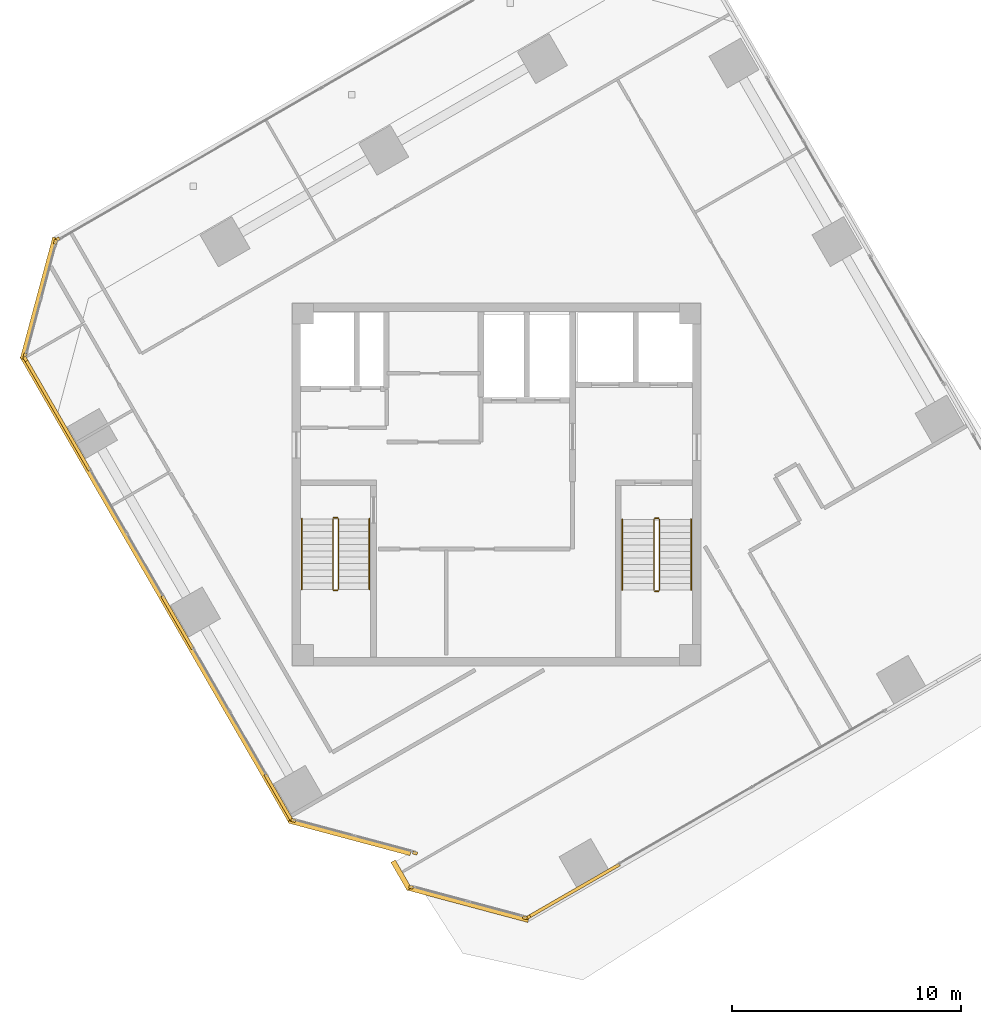
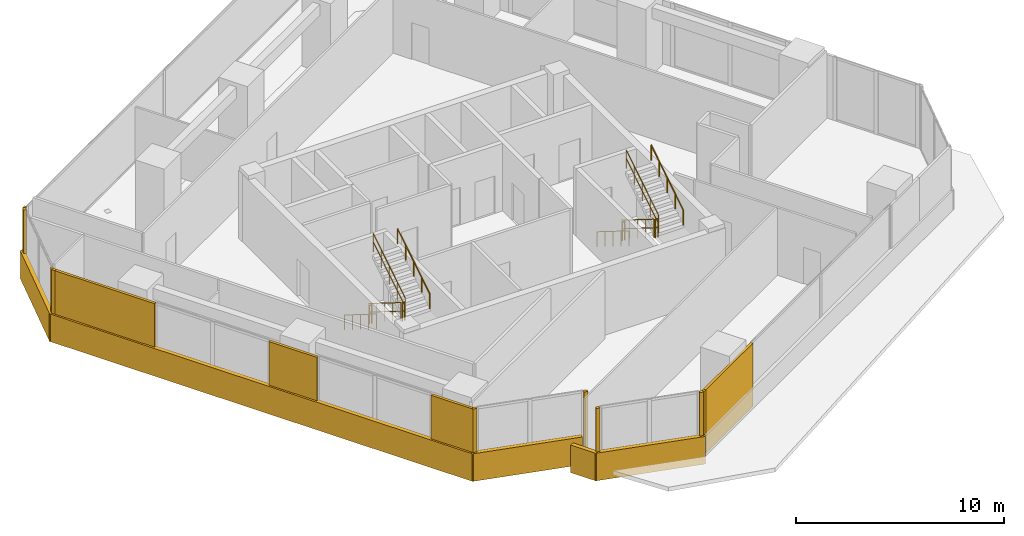
# One storey, part 14 of 16: 18 coverings, 12 railings.
"""IFC4 building model written with IfcOpenShell, lengths in metres."""

import ifcopenshell
import ifcopenshell.guid

model = None  # the IFC model being written
_history = None  # IfcOwnerHistory: only IFC2X3 demands one
_inside = {}  # id of a spatial element -> (the spatial element, [elements in it])
_under = {}  # id of a project, library or spatial element -> (it, [spatial elements below it])
_declared = {}  # id of a project -> (the project, [libraries it declares])
_typed = {}  # id of a type object -> (the type object, [elements of that type])
_made_of = {}  # id of a material, layer set ... -> (it, [elements and type objects made of it])


def new_model(schema):
    """Start an empty IFC model of exactly this schema.

    Asked for "IFC4X3", IfcOpenShell would pick the latest addendum, in which some entities
    have other attributes; the version numbers below select the first issue.
    IFC2X3 requires an IfcOwnerHistory on every rooted entity: one is made here for all.
    """
    global model, _history
    if schema == "IFC4X3":
        model = ifcopenshell.file(schema_version=(4, 3, 0, 0))
    else:
        model = ifcopenshell.file(schema=schema)
    _inside.clear()
    _under.clear()
    _declared.clear()
    _typed.clear()
    _made_of.clear()
    _history = None
    if model.schema == "IFC2X3":
        org = make("IfcOrganization", Name="unknown")
        user = make(
            "IfcPersonAndOrganization",
            ThePerson=make("IfcPerson", FamilyName="unknown"),
            TheOrganization=org,
        )
        app = make(
            "IfcApplication",
            ApplicationDeveloper=org,
            Version="unknown",
            ApplicationFullName="unknown",
            ApplicationIdentifier="unknown",
        )
        _history = make(
            "IfcOwnerHistory",
            OwningUser=user,
            OwningApplication=app,
            ChangeAction="ADDED",
            CreationDate=0,
        )
    return model


def make(cls, **values):
    """One entity of the class cls with the attributes given. An attribute that is None is left unset."""
    return model.create_entity(
        cls, **{name: value for name, value in values.items() if value is not None}
    )


def rooted(cls, **values):
    """An entity with a GlobalId (a new one), such as an element, a storey or a relation."""
    return make(cls, GlobalId=ifcopenshell.guid.new(), OwnerHistory=_history, **values)


def si_unit(unit_type, name, prefix=None):
    """IfcSIUnit, for example si_unit("LENGTHUNIT", "METRE", prefix="MILLI")."""
    return make("IfcSIUnit", UnitType=unit_type, Prefix=prefix, Name=name)


def assignment(units):
    """IfcUnitAssignment: the units of a project."""
    return None if units is None else make("IfcUnitAssignment", Units=units)


def point(xyz):
    """IfcCartesianPoint."""
    return None if xyz is None else make("IfcCartesianPoint", Coordinates=xyz)


def direction(xyz):
    """IfcDirection."""
    return None if xyz is None else make("IfcDirection", DirectionRatios=xyz)


def frame(location, z_axis=None, x_axis=None):
    """IfcAxis2Placement3D, a coordinate frame: its origin and axes. An axis left out is left unset."""
    return make(
        "IfcAxis2Placement3D",
        Location=point(location),
        Axis=direction(z_axis),
        RefDirection=direction(x_axis),
    )


def frame_2d(location, x_axis=None):
    """IfcAxis2Placement2D, a coordinate frame in the plane: its origin and x axis."""
    return make(
        "IfcAxis2Placement2D", Location=point(location), RefDirection=direction(x_axis)
    )


def origin():
    """The frame at (0, 0, 0) with its axes left unset."""
    return frame((0.0, 0.0, 0.0))


def origin_2d():
    """The frame at (0, 0) in the plane with its x axis left unset."""
    return frame_2d((0.0, 0.0))


def place(relative_to, where):
    """IfcLocalPlacement: puts the frame where relative to a parent placement (None: the world)."""
    return make(
        "IfcLocalPlacement", PlacementRelTo=relative_to, RelativePlacement=where
    )


def context(
    kind, dimensions, precision=None, world=None, true_north=None, identifier=None
):
    """IfcGeometricRepresentationContext, for example the 3D "Model" context."""
    return make(
        "IfcGeometricRepresentationContext",
        ContextIdentifier=identifier,
        ContextType=kind,
        CoordinateSpaceDimension=dimensions,
        Precision=precision,
        WorldCoordinateSystem=world,
        TrueNorth=true_north,
    )


def subcontext(parent, identifier, kind, view, scale=None):
    """IfcGeometricRepresentationSubContext, for example "Body" below "Model"."""
    return make(
        "IfcGeometricRepresentationSubContext",
        ContextIdentifier=identifier,
        ContextType=kind,
        ParentContext=parent,
        TargetScale=scale,
        TargetView=view,
    )


def project(units=None, contexts=None):
    """IfcProject with its units and contexts."""
    return rooted(
        "IfcProject",
        Name="project",
        RepresentationContexts=contexts,
        UnitsInContext=assignment(units),
    )


def spatial(cls, under=None, at=None, **own):
    """A site, building, storey or space (cls), placed at a placement, below another one or the project."""
    s = rooted(cls, ObjectPlacement=at, **own)
    if under is not None:
        _under.setdefault(under.id(), (under, []))[1].append(s)
    return s


def profile(cls, at=None, kind="AREA", **sizes):
    """A parametric profile (cls). Its sizes go by their IFC names, for example OverallWidth=200.0."""
    return make(cls, ProfileType=kind, Position=at, **sizes)


def rectangle(**sizes):
    """IfcRectangleProfileDef."""
    return profile("IfcRectangleProfileDef", **sizes)


def circle(**sizes):
    """IfcCircleProfileDef."""
    return profile("IfcCircleProfileDef", **sizes)


def extrude(swept, where, along, depth):
    """IfcExtrudedAreaSolid: the profile swept, set in the frame where, extruded along a direction by depth."""
    return make(
        "IfcExtrudedAreaSolid",
        SweptArea=swept,
        Position=where,
        ExtrudedDirection=direction(along),
        Depth=depth,
    )


def shape(context_of_items, identifier, shape_type, items):
    """IfcShapeRepresentation: the items that make up one representation, for example the "Body"."""
    return make(
        "IfcShapeRepresentation",
        ContextOfItems=context_of_items,
        RepresentationIdentifier=identifier,
        RepresentationType=shape_type,
        Items=items,
    )


def source(mapping_origin, context_of_items, identifier, shape_type, items):
    """IfcRepresentationMap: a shape defined once, which mapped items show again and again."""
    return make(
        "IfcRepresentationMap",
        MappingOrigin=mapping_origin,
        MappedRepresentation=shape(context_of_items, identifier, shape_type, items),
    )


def transform(
    local_origin,
    x_axis=None,
    y_axis=None,
    z_axis=None,
    scale=None,
    scale2=None,
    scale3=None,
    uniform=True,
):
    """IfcCartesianTransformationOperator3D, or its non-uniform kind. x_axis, y_axis, z_axis: its Axis1, 2, 3."""
    if uniform:
        return make(
            "IfcCartesianTransformationOperator3D",
            Axis1=direction(x_axis),
            Axis2=direction(y_axis),
            LocalOrigin=point(local_origin),
            Scale=scale,
            Axis3=direction(z_axis),
        )
    return make(
        "IfcCartesianTransformationOperator3DnonUniform",
        Axis1=direction(x_axis),
        Axis2=direction(y_axis),
        LocalOrigin=point(local_origin),
        Scale=scale,
        Axis3=direction(z_axis),
        Scale2=scale2,
        Scale3=scale3,
    )


def mapped(mapping_source, mapping_target):
    """IfcMappedItem: shows the shape of a source again, moved by a transform."""
    return make(
        "IfcMappedItem", MappingSource=mapping_source, MappingTarget=mapping_target
    )


def material(Name=None, Category=None):
    """IfcMaterial."""
    return make("IfcMaterial", Name=Name, Category=Category)


def layer(
    of_material, thickness, ventilated=None, Name=None, Category=None, Priority=None
):
    """IfcMaterialLayer: one layer of a wall or slab, of a material (None: an air gap)."""
    return make(
        "IfcMaterialLayer",
        Material=of_material,
        LayerThickness=thickness,
        IsVentilated=ventilated,
        Name=Name,
        Category=Category,
        Priority=Priority,
    )


def layer_set(layers, Name=None):
    """IfcMaterialLayerSet."""
    return make("IfcMaterialLayerSet", MaterialLayers=layers, LayerSetName=Name)


def made_of(thing, what):
    """Note that an element or type object is made of a material, layer set ...; save() writes the relation."""
    if what is not None:
        _made_of.setdefault(what.id(), (what, []))[1].append(thing)
    return thing


def type_object(cls, material=None, **own):
    """A type object (cls), such as IfcWallType, which elements share."""
    return made_of(rooted(cls, **own), material)


def element(
    cls,
    number,
    at=None,
    inside=None,
    cuts=None,
    type_object=None,
    material=None,
    context=None,
    identifier="Body",
    shape_type=None,
    held_by="IfcProductDefinitionShape",
    body=None,
    shapes=None,
    **own,
):
    """One element of the class cls, such as IfcWall. Its Tag is "e" and its number.

    at: its placement. inside: the storey or other place that contains it. cuts: it is an
    opening in that element (IfcRelVoidsElement). A single representation is given by context,
    identifier, shape_type and body (its items); several are given by shapes. held_by: the class
    of the entity that holds the representations. save() writes the other relations.
    """
    e = rooted(cls, Tag="e%d" % number, ObjectPlacement=at, **own)
    if body is not None:
        shapes = [shape(context, identifier, shape_type, body)]
    if shapes is not None:
        e.Representation = make(held_by, Representations=shapes)
    if inside is not None:
        _inside.setdefault(inside.id(), (inside, []))[1].append(e)
    if cuts is not None:
        rooted(
            "IfcRelVoidsElement", RelatingBuildingElement=cuts, RelatedOpeningElement=e
        )
    if type_object is not None:
        _typed.setdefault(type_object.id(), (type_object, []))[1].append(e)
    return made_of(e, material)


def aggregate(whole, parts):
    """IfcRelAggregates: a whole, such as a stair, and the parts it consists of."""
    return rooted("IfcRelAggregates", RelatingObject=whole, RelatedObjects=parts)


def save(model, path):
    """Write the relations noted so far, then the file.

    IfcRelAggregates (storeys below a building ...), IfcRelContainedInSpatialStructure (elements
    in a storey), IfcRelDefinesByType, IfcRelAssociatesMaterial and IfcRelDeclares: one each for
    every whole, place, type object, material and project.
    """
    for whole, parts in _under.values():
        aggregate(whole, parts)
    for where, things in _inside.values():
        rooted(
            "IfcRelContainedInSpatialStructure",
            RelatedElements=things,
            RelatingStructure=where,
        )
    for kind, things in _typed.values():
        rooted("IfcRelDefinesByType", RelatedObjects=things, RelatingType=kind)
    for what, things in _made_of.values():
        rooted("IfcRelAssociatesMaterial", RelatedObjects=things, RelatingMaterial=what)
    for by, libraries in _declared.values():
        rooted("IfcRelDeclares", RelatingContext=by, RelatedDefinitions=libraries)
    model.write(path)


model = new_model("IFC4")

# Units and contexts
model_context = context("Model", 3, precision=1e-05, world=origin(), true_north=direction((0.0, 1.0)))
body_context = subcontext(model_context, "Body", "Model", "MODEL_VIEW")
ifc_project = project(units=[si_unit("LENGTHUNIT", "METRE"), si_unit("AREAUNIT", "SQUARE_METRE"), si_unit("VOLUMEUNIT", "CUBIC_METRE"), si_unit("PLANEANGLEUNIT", "RADIAN"), si_unit("MASSUNIT", "GRAM", prefix="KILO")], contexts=[model_context])

# Site, building, storey
site_placement = place(None, origin())
site = spatial("IfcSite", under=ifc_project, at=site_placement, CompositionType="ELEMENT")
building_placement = place(site_placement, origin())
building = spatial("IfcBuilding", under=site, at=building_placement, Name="Torre Montelarca", CompositionType="ELEMENT")
storey_placement = place(building_placement, frame((0.0, 0.0, 319.800048828125)))
storey = spatial("IfcBuildingStorey", under=building, at=storey_placement, Name="L72", CompositionType="ELEMENT", Elevation=319.800048828125)

# Railings
ifc_material_1 = material(Name="Powder-coated steel ASTM A500 Grade C", Category="steel")
railing_type_1 = type_object("IfcRailingType", Name="RL-GUARD-1100", PredefinedType="BALUSTRADE", material=ifc_material_1)
railing_1_placement = place(storey_placement, frame((10.85009765625, 30.5, 0.175048828125)))
element("IfcRailing", 1, at=railing_1_placement, inside=storey, type_object=railing_type_1, Name="L72 ST1 stair guard 1", PredefinedType="BALUSTRADE", context=body_context, shape_type="SweptSolid", body=[
    extrude(circle(Radius=0.02392578125, at=origin_2d()), frame((0.0, 0.0, 1.076171875), z_axis=(0.0, -0.848028513186, 0.529950602248), x_axis=(1.0, 0.0, 0.0)), (0.0, 0.0, 1.0), 3.632080078125),
    extrude(circle(Radius=0.02099609375, at=origin_2d()), frame((0.0, 0.0, 0.572021484375), z_axis=(0.0, -0.848028513186, 0.529950602248), x_axis=(1.0, 0.0, 0.0)), (0.0, 0.0, 1.0), 3.632080078125),
    extrude(circle(Radius=0.02099609375, at=origin_2d()), origin(), (0.0, 0.0, 1.0), 1.052001953125),
    extrude(circle(Radius=0.02099609375, at=origin_2d()), frame((0.0, -0.77001953125, 0.481201171875)), (0.0, 0.0, 1.0), 1.052001953125),
    extrude(circle(Radius=0.02099609375, at=origin_2d()), frame((0.0, -1.5400390625, 0.96240234375)), (0.0, 0.0, 1.0), 1.052001953125),
    extrude(circle(Radius=0.02099609375, at=origin_2d()), frame((0.0, -2.31005859375, 1.443603515625)), (0.0, 0.0, 1.0), 1.052001953125),
    extrude(circle(Radius=0.02099609375, at=origin_2d()), frame((0.0, -3.080078125, 1.9248046875)), (0.0, 0.0, 1.0), 1.052001953125),
])
railing_2_placement = place(storey_placement, frame((10.89990234375, 27.3701171875, 2.099853515625)))
element("IfcRailing", 2, at=railing_2_placement, inside=storey, type_object=railing_type_1, Name="L72 ST1 stair guard 2", PredefinedType="BALUSTRADE", context=body_context, shape_type="SweptSolid", body=[
    extrude(circle(Radius=0.02392578125, at=origin_2d()), frame((0.0, 0.0, 1.076171875), z_axis=(1.0, 0.0, 0.0), x_axis=(0.0, 1.0, 0.0)), (0.0, 0.0, 1.0), 0.150146484375),
    extrude(circle(Radius=0.02099609375, at=origin_2d()), frame((0.0, 0.0, 0.572021484375), z_axis=(1.0, 0.0, 0.0), x_axis=(0.0, 1.0, 0.0)), (0.0, 0.0, 1.0), 0.150146484375),
    extrude(circle(Radius=0.02099609375, at=origin_2d()), origin(), (0.0, 0.0, 1.0), 1.052001953125),
    extrude(circle(Radius=0.02099609375, at=origin_2d()), frame((0.150146484375, 0.0, 0.0)), (0.0, 0.0, 1.0), 1.052001953125),
])
railing_3_placement = place(storey_placement, frame((11.10009765625, 27.419921875, 2.27490234375)))
element("IfcRailing", 3, at=railing_3_placement, inside=storey, type_object=railing_type_1, Name="L72 ST1 stair guard 3", PredefinedType="BALUSTRADE", context=body_context, shape_type="SweptSolid", body=[
    extrude(circle(Radius=0.02392578125, at=origin_2d()), frame((0.0, 0.0, 1.076171875), z_axis=(0.0, 0.847998304005, 0.529998940003), x_axis=(-1.0, 0.0, 0.0)), (0.0, 0.0, 1.0), 3.632080078125),
    extrude(circle(Radius=0.02099609375, at=origin_2d()), frame((0.0, 0.0, 0.572021484375), z_axis=(0.0, 0.847998304005, 0.529998940003), x_axis=(-1.0, 0.0, 0.0)), (0.0, 0.0, 1.0), 3.632080078125),
    extrude(circle(Radius=0.02099609375, at=origin_2d()), origin(), (0.0, 0.0, 1.0), 1.052001953125),
    extrude(circle(Radius=0.02099609375, at=origin_2d()), frame((0.0, 0.77001953125, 0.481201171875)), (0.0, 0.0, 1.0), 1.052001953125),
    extrude(circle(Radius=0.02099609375, at=origin_2d()), frame((0.0, 1.5400390625, 0.96240234375)), (0.0, 0.0, 1.0), 1.052001953125),
    extrude(circle(Radius=0.02099609375, at=origin_2d()), frame((0.0, 2.31005859375, 1.44384765625)), (0.0, 0.0, 1.0), 1.052001953125),
    extrude(circle(Radius=0.02099609375, at=origin_2d()), frame((0.0, 3.080078125, 1.925048828125)), (0.0, 0.0, 1.0), 1.052001953125),
])
railing_4_placement = place(storey_placement, frame((10.89990234375, 30.550048828125, 0.0)))
element("IfcRailing", 4, at=railing_4_placement, inside=storey, type_object=railing_type_1, Name="L72 ST1 stair guard 4", PredefinedType="BALUSTRADE", context=body_context, shape_type="SweptSolid", body=[
    extrude(circle(Radius=0.02392578125, at=origin_2d()), frame((0.0, 0.0, 1.076171875), z_axis=(1.0, 0.0, 0.0), x_axis=(0.0, 1.0, 0.0)), (0.0, 0.0, 1.0), 0.150146484375),
    extrude(circle(Radius=0.02099609375, at=origin_2d()), frame((0.0, 0.0, 0.572021484375), z_axis=(1.0, 0.0, 0.0), x_axis=(0.0, 1.0, 0.0)), (0.0, 0.0, 1.0), 0.150146484375),
    extrude(circle(Radius=0.02099609375, at=origin_2d()), origin(), (0.0, 0.0, 1.0), 1.052001953125),
    extrude(circle(Radius=0.02099609375, at=origin_2d()), frame((0.150146484375, 0.0, 0.0)), (0.0, 0.0, 1.0), 1.052001953125),
])
railing_5_placement = place(storey_placement, frame((24.8701171875, 30.469970703125, 0.175048828125)))
element("IfcRailing", 5, at=railing_5_placement, inside=storey, type_object=railing_type_1, Name="L72 ST2 stair guard 1", PredefinedType="BALUSTRADE", context=body_context, shape_type="SweptSolid", body=[
    extrude(circle(Radius=0.02392578125, at=origin_2d()), frame((0.0, 0.0, 1.076171875), z_axis=(0.0, -0.848028513186, 0.529950602248), x_axis=(1.0, 0.0, 0.0)), (0.0, 0.0, 1.0), 3.632080078125),
    extrude(circle(Radius=0.02099609375, at=origin_2d()), frame((0.0, 0.0, 0.572021484375), z_axis=(0.0, -0.848028513186, 0.529950602248), x_axis=(1.0, 0.0, 0.0)), (0.0, 0.0, 1.0), 3.632080078125),
    extrude(circle(Radius=0.02099609375, at=origin_2d()), origin(), (0.0, 0.0, 1.0), 1.052001953125),
    extrude(circle(Radius=0.02099609375, at=origin_2d()), frame((0.0, -0.77001953125, 0.481201171875)), (0.0, 0.0, 1.0), 1.052001953125),
    extrude(circle(Radius=0.02099609375, at=origin_2d()), frame((0.0, -1.5400390625, 0.96240234375)), (0.0, 0.0, 1.0), 1.052001953125),
    extrude(circle(Radius=0.02099609375, at=origin_2d()), frame((0.0, -2.31005859375, 1.443603515625)), (0.0, 0.0, 1.0), 1.052001953125),
    extrude(circle(Radius=0.02099609375, at=origin_2d()), frame((0.0, -3.080078125, 1.9248046875)), (0.0, 0.0, 1.0), 1.052001953125),
])
railing_6_placement = place(storey_placement, frame((24.919921875, 27.340087890625, 2.099853515625)))
element("IfcRailing", 6, at=railing_6_placement, inside=storey, type_object=railing_type_1, Name="L72 ST2 stair guard 2", PredefinedType="BALUSTRADE", context=body_context, shape_type="SweptSolid", body=[
    extrude(circle(Radius=0.02392578125, at=origin_2d()), frame((0.0, 0.0, 1.076171875), z_axis=(1.0, 0.0, 0.0), x_axis=(0.0, 1.0, 0.0)), (0.0, 0.0, 1.0), 0.150146484375),
    extrude(circle(Radius=0.02099609375, at=origin_2d()), frame((0.0, 0.0, 0.572021484375), z_axis=(1.0, 0.0, 0.0), x_axis=(0.0, 1.0, 0.0)), (0.0, 0.0, 1.0), 0.150146484375),
    extrude(circle(Radius=0.02099609375, at=origin_2d()), origin(), (0.0, 0.0, 1.0), 1.052001953125),
    extrude(circle(Radius=0.02099609375, at=origin_2d()), frame((0.150146484375, 0.0, 0.0)), (0.0, 0.0, 1.0), 1.052001953125),
])
railing_7_placement = place(storey_placement, frame((25.1201171875, 27.389892578125, 2.27490234375)))
element("IfcRailing", 7, at=railing_7_placement, inside=storey, type_object=railing_type_1, Name="L72 ST2 stair guard 3", PredefinedType="BALUSTRADE", context=body_context, shape_type="SweptSolid", body=[
    extrude(circle(Radius=0.02392578125, at=origin_2d()), frame((0.0, 0.0, 1.076171875), z_axis=(0.0, 0.847998304005, 0.529998940003), x_axis=(-1.0, 0.0, 0.0)), (0.0, 0.0, 1.0), 3.632080078125),
    extrude(circle(Radius=0.02099609375, at=origin_2d()), frame((0.0, 0.0, 0.572021484375), z_axis=(0.0, 0.847998304005, 0.529998940003), x_axis=(-1.0, 0.0, 0.0)), (0.0, 0.0, 1.0), 3.632080078125),
    extrude(circle(Radius=0.02099609375, at=origin_2d()), origin(), (0.0, 0.0, 1.0), 1.052001953125),
    extrude(circle(Radius=0.02099609375, at=origin_2d()), frame((0.0, 0.77001953125, 0.481201171875)), (0.0, 0.0, 1.0), 1.052001953125),
    extrude(circle(Radius=0.02099609375, at=origin_2d()), frame((0.0, 1.5400390625, 0.96240234375)), (0.0, 0.0, 1.0), 1.052001953125),
    extrude(circle(Radius=0.02099609375, at=origin_2d()), frame((0.0, 2.31005859375, 1.44384765625)), (0.0, 0.0, 1.0), 1.052001953125),
    extrude(circle(Radius=0.02099609375, at=origin_2d()), frame((0.0, 3.080078125, 1.925048828125)), (0.0, 0.0, 1.0), 1.052001953125),
])
railing_8_placement = place(storey_placement, frame((24.919921875, 30.52001953125, 0.0)))
element("IfcRailing", 8, at=railing_8_placement, inside=storey, type_object=railing_type_1, Name="L72 ST2 stair guard 4", PredefinedType="BALUSTRADE", context=body_context, shape_type="SweptSolid", body=[
    extrude(circle(Radius=0.02392578125, at=origin_2d()), frame((0.0, 0.0, 1.076171875), z_axis=(1.0, 0.0, 0.0), x_axis=(0.0, 1.0, 0.0)), (0.0, 0.0, 1.0), 0.150146484375),
    extrude(circle(Radius=0.02099609375, at=origin_2d()), frame((0.0, 0.0, 0.572021484375), z_axis=(1.0, 0.0, 0.0), x_axis=(0.0, 1.0, 0.0)), (0.0, 0.0, 1.0), 0.150146484375),
    extrude(circle(Radius=0.02099609375, at=origin_2d()), origin(), (0.0, 0.0, 1.0), 1.052001953125),
    extrude(circle(Radius=0.02099609375, at=origin_2d()), frame((0.150146484375, 0.0, 0.0)), (0.0, 0.0, 1.0), 1.052001953125),
])
ifc_material_2 = material(Name="Brushed stainless steel AISI 316", Category="steel")
railing_type_2 = type_object("IfcRailingType", Name="RL-HANDRAIL-900", PredefinedType="HANDRAIL", material=ifc_material_2)
railing_9_placement = place(storey_placement, frame((9.5, 30.5, 0.175048828125)))
element("IfcRailing", 9, at=railing_9_placement, inside=storey, type_object=railing_type_2, Name="L72 ST1 stair handrail 1", PredefinedType="HANDRAIL", context=body_context, shape_type="SweptSolid", body=[
    extrude(circle(Radius=0.02392578125, at=origin_2d()), frame((0.0, 0.0, 0.8759765625), z_axis=(0.0, -0.848028513186, 0.529950602248), x_axis=(1.0, 0.0, 0.0)), (0.0, 0.0, 1.0), 3.632080078125),
    extrude(circle(Radius=0.02099609375, at=origin_2d()), origin(), (0.0, 0.0, 1.0), 0.851806640625),
    extrude(circle(Radius=0.02099609375, at=origin_2d()), frame((0.0, -0.77001953125, 0.481201171875)), (0.0, 0.0, 1.0), 0.851806640625),
    extrude(circle(Radius=0.02099609375, at=origin_2d()), frame((0.0, -1.5400390625, 0.96240234375)), (0.0, 0.0, 1.0), 0.851806640625),
    extrude(circle(Radius=0.02099609375, at=origin_2d()), frame((0.0, -2.31005859375, 1.443603515625)), (0.0, 0.0, 1.0), 0.851806640625),
    extrude(circle(Radius=0.02099609375, at=origin_2d()), frame((0.0, -3.080078125, 1.9248046875)), (0.0, 0.0, 1.0), 0.851806640625),
])
railing_10_placement = place(storey_placement, frame((12.449951171875, 27.419921875, 2.27490234375)))
element("IfcRailing", 10, at=railing_10_placement, inside=storey, type_object=railing_type_2, Name="L72 ST1 stair handrail 2", PredefinedType="HANDRAIL", context=body_context, shape_type="SweptSolid", body=[
    extrude(circle(Radius=0.02392578125, at=origin_2d()), frame((0.0, 0.0, 0.8759765625), z_axis=(0.0, 0.847998304005, 0.529998940003), x_axis=(-1.0, 0.0, 0.0)), (0.0, 0.0, 1.0), 3.632080078125),
    extrude(circle(Radius=0.02099609375, at=origin_2d()), origin(), (0.0, 0.0, 1.0), 0.851806640625),
    extrude(circle(Radius=0.02099609375, at=origin_2d()), frame((0.0, 0.77001953125, 0.481201171875)), (0.0, 0.0, 1.0), 0.851806640625),
    extrude(circle(Radius=0.02099609375, at=origin_2d()), frame((0.0, 1.5400390625, 0.96240234375)), (0.0, 0.0, 1.0), 0.851806640625),
    extrude(circle(Radius=0.02099609375, at=origin_2d()), frame((0.0, 2.31005859375, 1.44384765625)), (0.0, 0.0, 1.0), 0.851806640625),
    extrude(circle(Radius=0.02099609375, at=origin_2d()), frame((0.0, 3.080078125, 1.925048828125)), (0.0, 0.0, 1.0), 0.851806640625),
])
railing_11_placement = place(storey_placement, frame((23.489990234375, 30.469970703125, 0.175048828125)))
element("IfcRailing", 11, at=railing_11_placement, inside=storey, type_object=railing_type_2, Name="L72 ST2 stair handrail 1", PredefinedType="HANDRAIL", context=body_context, shape_type="SweptSolid", body=[
    extrude(circle(Radius=0.02392578125, at=origin_2d()), frame((0.0, 0.0, 0.8759765625), z_axis=(0.0, -0.848028513186, 0.529950602248), x_axis=(1.0, 0.0, 0.0)), (0.0, 0.0, 1.0), 3.632080078125),
    extrude(circle(Radius=0.02099609375, at=origin_2d()), origin(), (0.0, 0.0, 1.0), 0.851806640625),
    extrude(circle(Radius=0.02099609375, at=origin_2d()), frame((0.0, -0.77001953125, 0.481201171875)), (0.0, 0.0, 1.0), 0.851806640625),
    extrude(circle(Radius=0.02099609375, at=origin_2d()), frame((0.0, -1.5400390625, 0.96240234375)), (0.0, 0.0, 1.0), 0.851806640625),
    extrude(circle(Radius=0.02099609375, at=origin_2d()), frame((0.0, -2.31005859375, 1.443603515625)), (0.0, 0.0, 1.0), 0.851806640625),
    extrude(circle(Radius=0.02099609375, at=origin_2d()), frame((0.0, -3.080078125, 1.9248046875)), (0.0, 0.0, 1.0), 0.851806640625),
])
railing_12_placement = place(storey_placement, frame((26.5, 27.389892578125, 2.27490234375)))
element("IfcRailing", 12, at=railing_12_placement, inside=storey, type_object=railing_type_2, Name="L72 ST2 stair handrail 2", PredefinedType="HANDRAIL", context=body_context, shape_type="SweptSolid", body=[
    extrude(circle(Radius=0.02392578125, at=origin_2d()), frame((0.0, 0.0, 0.8759765625), z_axis=(0.0, 0.847998304005, 0.529998940003), x_axis=(-1.0, 0.0, 0.0)), (0.0, 0.0, 1.0), 3.632080078125),
    extrude(circle(Radius=0.02099609375, at=origin_2d()), origin(), (0.0, 0.0, 1.0), 0.851806640625),
    extrude(circle(Radius=0.02099609375, at=origin_2d()), frame((0.0, 0.77001953125, 0.481201171875)), (0.0, 0.0, 1.0), 0.851806640625),
    extrude(circle(Radius=0.02099609375, at=origin_2d()), frame((0.0, 1.5400390625, 0.96240234375)), (0.0, 0.0, 1.0), 0.851806640625),
    extrude(circle(Radius=0.02099609375, at=origin_2d()), frame((0.0, 2.31005859375, 1.44384765625)), (0.0, 0.0, 1.0), 0.851806640625),
    extrude(circle(Radius=0.02099609375, at=origin_2d()), frame((0.0, 3.080078125, 1.925048828125)), (0.0, 0.0, 1.0), 0.851806640625),
])

# Coverings
ifc_material_3 = material(Name="Bush-hammered warm white precast concrete C45/55", Category="concrete")
ifc_layer = layer(ifc_material_3, 0.139892578125, Name="Bush-hammered warm white precast concrete C45/55", Category="concrete")
ifc_layer_set = layer_set([ifc_layer], Name="Bush-hammered warm white precast concrete C45/55")
covering_type = type_object("IfcCoveringType", Name="COV-TRAY-CLAD", PredefinedType="CLADDING", material=ifc_layer_set)
shared_shape_1 = source(origin(), body_context, "Body", "SweptSolid", [
    extrude(rectangle(XDim=0.199951171875, YDim=0.139892578125, at=origin_2d()), origin(), (0.0, 0.0, 1.0), 3.719970703125),
])
for number, where, z_axis, x_axis, name in (
    (13, (-2.57568359375, 37.48046875, 0.0), (0.0, 0.0, 1.0), (0.5, -0.866025403784, 0.0), "L72 Architectural Column Pier Cladding E01-1"),
    (14, (9.12353515625, 17.32763671875, 0.0), (0.0, 0.0, 1.0), (0.965924019368, -0.258825788531, 0.0), "L72 Architectural Column Pier Cladding E02-1"),
    (15, (14.44580078125, 15.901611328125, 0.0), (0.0, 0.0, 1.0), (0.965924019368, -0.258825788531, 0.0), "L72 Architectural Column Pier Cladding E02-2"),
    (16, (14.271484375, 14.410888671875, 0.0), (0.0, 0.0, 1.0), (0.965925374563, -0.258820730961, 0.0), "L72 Architectural Column Pier Cladding E05-1"),
    (17, (19.23876953125, 13.080078125, 0.0), (0.0, 0.0, 1.0), (0.965925374563, -0.258820730961, 0.0), "L72 Architectural Column Pier Cladding E05-2"),
    (18, (19.382568359375, 13.09912109375, 0.0), (0.0, 0.0, 1.0), (0.866025403784, 0.5, 0.0), "L72 Architectural Column Pier Cladding E06-1"),
    (19, (-1.175537109375, 42.70654296875, 0.0), (0.0, 0.0, 1.0), (-0.866025403784, -0.5, 0.0), "L72 Architectural Column Pier Cladding E10-2"),
    (20, (-1.263916015625, 42.591552734375, 0.0), (0.0, 0.0, 1.0), (-0.258820730961, -0.965925374563, 0.0), "L72 Architectural Column Pier Cladding E11-1"),
    (21, (-2.5947265625, 37.62451171875, 0.0), (0.0, 0.0, 1.0), (-0.258820730961, -0.965925374563, 0.0), "L72 Architectural Column Pier Cladding E11-2"),
):
    element("IfcCovering", number, at=place(storey_placement, frame(where, z_axis=z_axis, x_axis=x_axis)), inside=storey, type_object=covering_type, Name=name, PredefinedType="CLADDING", context=body_context, shape_type="MappedRepresentation", body=[
        mapped(shared_shape_1, transform((0.0, 0.0, 0.0), scale=1.0)),
    ])
shared_shape_2 = source(origin(), body_context, "Body", "SweptSolid", [
    extrude(rectangle(XDim=4.6142578125, YDim=0.139892578125, at=origin_2d()), origin(), (0.0, 0.0, 1.0), 3.719970703125),
])
covering_1_placement = place(storey_placement, frame((21.380615234375, 14.252685546875, 0.0), z_axis=(0.0, 0.0, 1.0), x_axis=(0.866025403784, 0.5, 0.0)))
element("IfcCovering", 22, at=covering_1_placement, inside=storey, type_object=covering_type, Name="L72 Architectural Column Pier Cladding E06-2", PredefinedType="CLADDING", context=body_context, shape_type="MappedRepresentation", body=[
    mapped(shared_shape_2, transform((0.0, 0.0, 0.0), scale=1.0)),
])
shared_shape_3 = source(origin(), body_context, "Body", "SweptSolid", [
    extrude(rectangle(XDim=2.659912109375, YDim=0.139892578125, at=origin_2d()), origin(), (0.0, 0.0, 1.0), 3.719970703125),
])
covering_2_placement = place(storey_placement, frame((4.06640625, 25.97607421875, 0.0), z_axis=(0.0, 0.0, 1.0), x_axis=(0.5, -0.866025403784, 0.0)))
element("IfcCovering", 23, at=covering_2_placement, inside=storey, type_object=covering_type, Name="L72 Architectural Column Pier Cladding E01-3", PredefinedType="CLADDING", context=body_context, shape_type="MappedRepresentation", body=[
    mapped(shared_shape_3, transform((0.0, 0.0, 0.0), scale=1.0)),
])
shared_shape_4 = source(origin(), body_context, "Body", "SweptSolid", [
    extrude(rectangle(XDim=23.52001953125, YDim=0.219970703125, at=origin_2d()), origin(), (0.0, 0.0, 1.0), 1.6201171875),
])
covering_3_placement = place(storey_placement, frame((3.164306640625, 27.418212890625, -0.4501953125), z_axis=(0.0, 0.0, 1.0), x_axis=(0.5, -0.866025403784, 0.0)))
element("IfcCovering", 24, at=covering_3_placement, inside=storey, type_object=covering_type, Name="L72 Architectural White Spandrel Tray Band TRYBOT-01", PredefinedType="CLADDING", context=body_context, shape_type="MappedRepresentation", body=[
    mapped(shared_shape_4, transform((0.0, 0.0, 0.0), scale=1.0)),
])
shared_shape_5 = source(origin(), body_context, "Body", "SweptSolid", [
    extrude(rectangle(XDim=5.493896484375, YDim=0.219970703125, at=origin_2d()), origin(), (0.0, 0.0, 1.0), 1.6201171875),
])
for number, where, z_axis, x_axis, name in (
    (25, (11.591552734375, 16.604248046875, -0.4501953125), (0.0, 0.0, 1.0), (0.965925826289, -0.258819045103, 0.0), "L72 Architectural White Spandrel Tray Band TRYBOT-02"),
    (26, (16.739501953125, 13.6875, -0.4501953125), (0.0, 0.0, 1.0), (0.965925826289, -0.258819045103, 0.0), "L72 Architectural White Spandrel Tray Band TRYBOT-05"),
    (27, (-1.9873046875, 40.12353515625, -0.4501953125), (0.0, 0.0, 1.0), (-0.258819045103, -0.965925826289, 0.0), "L72 Architectural White Spandrel Tray Band TRYBOT-11"),
):
    element("IfcCovering", number, at=place(storey_placement, frame(where, z_axis=z_axis, x_axis=x_axis)), inside=storey, type_object=covering_type, Name=name, PredefinedType="CLADDING", context=body_context, shape_type="MappedRepresentation", body=[
        mapped(shared_shape_5, transform((0.0, 0.0, 0.0), scale=1.0)),
    ])
shared_shape_6 = source(origin(), body_context, "Body", "SweptSolid", [
    extrude(rectangle(XDim=1.419921875, YDim=0.219970703125, at=origin_2d()), origin(), (0.0, 0.0, 1.0), 1.6201171875),
])
covering_4_placement = place(storey_placement, frame((13.83740234375, 14.931884765625, -0.4501953125), z_axis=(0.0, 0.0, 1.0), x_axis=(0.500010580459, -0.866019295067, 0.0)))
element("IfcCovering", 28, at=covering_4_placement, inside=storey, type_object=covering_type, Name="L72 Architectural White Spandrel Tray Band TRYBOT-04", PredefinedType="CLADDING", context=body_context, shape_type="MappedRepresentation", body=[
    mapped(shared_shape_6, transform((0.0, 0.0, 0.0), scale=1.0)),
])
shared_shape_7 = source(origin(), body_context, "Body", "SweptSolid", [
    extrude(rectangle(XDim=2.314208984375, YDim=0.139892578125, at=origin_2d()), origin(), (0.0, 0.0, 1.0), 3.719970703125),
])
covering_5_placement = place(storey_placement, frame((8.479736328125, 18.33154296875, 0.0), z_axis=(0.0, 0.0, 1.0), x_axis=(0.5, -0.866025403784, 0.0)))
element("IfcCovering", 29, at=covering_5_placement, inside=storey, type_object=covering_type, Name="L72 Architectural Column Pier Cladding E01-4", PredefinedType="CLADDING", context=body_context, shape_type="MappedRepresentation", body=[
    mapped(shared_shape_7, transform((0.0, 0.0, 0.0), scale=1.0)),
])
shared_shape_8 = source(origin(), body_context, "Body", "SweptSolid", [
    extrude(rectangle(XDim=5.6142578125, YDim=0.139892578125, at=origin_2d()), origin(), (0.0, 0.0, 1.0), 3.719970703125),
])
covering_6_placement = place(storey_placement, frame((-1.17236328125, 35.049560546875, 0.0), z_axis=(0.0, 0.0, 1.0), x_axis=(0.5, -0.866025403784, 0.0)))
element("IfcCovering", 30, at=covering_6_placement, inside=storey, type_object=covering_type, Name="L72 Architectural Column Pier Cladding E01-2", PredefinedType="CLADDING", context=body_context, shape_type="MappedRepresentation", body=[
    mapped(shared_shape_8, transform((0.0, 0.0, 0.0), scale=1.0)),
])

save(model, "model.ifc")
